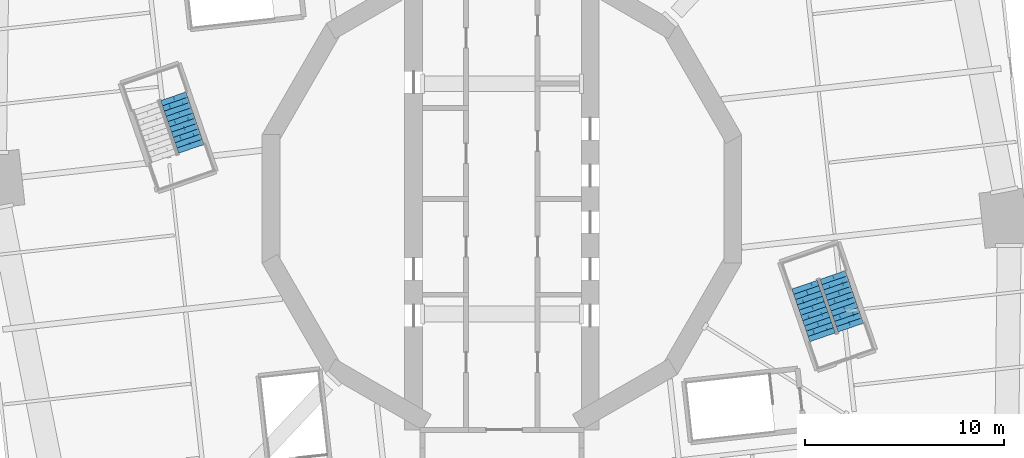
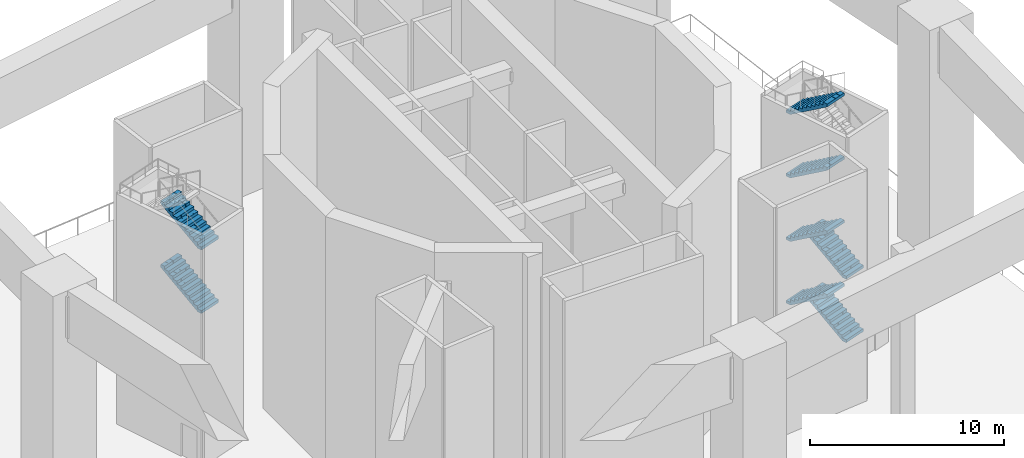
# One storey, part 6 of 13: 8 stair flights, 2 elements without a shape of their own.
"""IFC4 building model written with IfcOpenShell, lengths in metres."""

from ifc_helpers import new_model, si_unit, direction, frame, origin, place, context, subcontext, project, spatial, polyline, outline, extrude, material, type_object, element, aggregate, save


model = new_model("IFC4")

# Units and contexts
model_context = context("Model", 3, precision=1e-05, world=origin(), true_north=direction((0.0, 1.0)))
body_context = subcontext(model_context, "Body", "Model", "MODEL_VIEW")
ifc_project = project(units=[si_unit("LENGTHUNIT", "METRE"), si_unit("AREAUNIT", "SQUARE_METRE"), si_unit("VOLUMEUNIT", "CUBIC_METRE"), si_unit("PLANEANGLEUNIT", "RADIAN"), si_unit("MASSUNIT", "GRAM", prefix="KILO")], contexts=[model_context])

# Site, building, storey
site_placement = place(None, origin())
site = spatial("IfcSite", under=ifc_project, at=site_placement, CompositionType="ELEMENT")
building_placement = place(site_placement, origin())
building = spatial("IfcBuilding", under=site, at=building_placement, Name="Cantera Rosa Tower", CompositionType="ELEMENT")
storey_placement = place(building_placement, frame((0.0, 0.0, 84.300048828125)))
storey = spatial("IfcBuildingStorey", under=building, at=storey_placement, Name="L18", CompositionType="ELEMENT", Elevation=84.300048828125)

# Stair, stair flights
ifc_material_1 = material(Name="Concrete C35/45", Category="concrete")
stair_type = type_object("IfcStairType", Name="EXIT STAIR 1350 DOGLEG", PredefinedType="HALF_TURN_STAIR", material=ifc_material_1)
stair_1_placement = place(storey_placement, origin())
stair_1 = element("IfcStair", 1, at=stair_1_placement, inside=storey, type_object=stair_type, Name="L18 ST-22", PredefinedType="HALF_TURN_STAIR")
ifc_material_2 = material(Name="Concrete C35/45", Category="concrete")
stair_flight_type = type_object("IfcStairFlightType", Name="STAIR FLIGHT 1350 R88x182", PredefinedType="STRAIGHT", material=ifc_material_2)
stair_flight_1_placement = place(storey_placement, frame((-15.635009765625, 2.5205078125, 8.0), z_axis=(0.0, 0.0, 1.0), x_axis=(-0.325568154457, 0.945518575599, 0.0)))
stair_flight_1 = element("IfcStairFlight", 2, at=stair_flight_1_placement, type_object=stair_flight_type, Name="ST-22 flight 5", NumberOfRisers=11, NumberOfTreads=10, PredefinedType="STRAIGHT", RiserHeight=0.181818182, TreadLength=0.28, context=body_context, shape_type="SweptSolid", body=[
    extrude(outline(polyline([(0.0, 0.0), (0.0, 0.181884765625), (0.280029296875, 0.181884765625), (0.280029296875, 0.363525390625), (0.56005859375, 0.363525390625), (0.56005859375, 0.54541015625), (0.840087890625, 0.54541015625), (0.840087890625, 0.727294921875), (1.1201171875, 0.727294921875), (1.1201171875, 0.9091796875), (1.39990234375, 0.9091796875), (1.39990234375, 1.0908203125), (1.679931640625, 1.0908203125), (1.679931640625, 1.272705078125), (1.9599609375, 1.272705078125), (1.9599609375, 1.45458984375), (2.239990234375, 1.45458984375), (2.239990234375, 1.636474609375), (2.52001953125, 1.636474609375), (2.52001953125, 1.818115234375), (2.800048828125, 1.818115234375), (2.800048828125, 2.0), (2.800048828125, 1.639404296875), (0.275146484375, 0.0), (0.0, 0.0)])), frame((0.0, 0.675048828125, 0.0), z_axis=(0.0, -1.0, 0.0), x_axis=(1.0, 0.0, 0.0)), (0.0, 0.0, 1.0), 0.3359375),
    extrude(outline(polyline([(0.0, 0.0), (0.0, 0.181884765625), (0.280029296875, 0.181884765625), (0.280029296875, 0.363525390625), (0.56005859375, 0.363525390625), (0.56005859375, 0.54541015625), (0.840087890625, 0.54541015625), (0.840087890625, 0.727294921875), (1.1201171875, 0.727294921875), (1.1201171875, 0.9091796875), (1.39990234375, 0.9091796875), (1.39990234375, 1.0908203125), (1.679931640625, 1.0908203125), (1.679931640625, 1.272705078125), (1.9599609375, 1.272705078125), (1.9599609375, 1.45458984375), (2.239990234375, 1.45458984375), (2.239990234375, 1.636474609375), (2.52001953125, 1.636474609375), (2.52001953125, 1.818115234375), (2.800048828125, 1.818115234375), (2.800048828125, 2.0), (2.800048828125, 1.639404296875), (0.275146484375, 0.0), (0.0, 0.0)])), frame((0.0, 0.337158203125, 0.0), z_axis=(0.0, -1.0, 0.0), x_axis=(1.0, 0.0, 0.0)), (0.0, 0.0, 1.0), 0.3359375),
    extrude(outline(polyline([(0.0, 0.0), (0.0, 0.181884765625), (0.280029296875, 0.181884765625), (0.280029296875, 0.363525390625), (0.56005859375, 0.363525390625), (0.56005859375, 0.54541015625), (0.840087890625, 0.54541015625), (0.840087890625, 0.727294921875), (1.1201171875, 0.727294921875), (1.1201171875, 0.9091796875), (1.39990234375, 0.9091796875), (1.39990234375, 1.0908203125), (1.679931640625, 1.0908203125), (1.679931640625, 1.272705078125), (1.9599609375, 1.272705078125), (1.9599609375, 1.45458984375), (2.239990234375, 1.45458984375), (2.239990234375, 1.636474609375), (2.52001953125, 1.636474609375), (2.52001953125, 1.818115234375), (2.800048828125, 1.818115234375), (2.800048828125, 2.0), (2.800048828125, 1.639404296875), (0.275146484375, 0.0), (0.0, 0.0)])), frame((0.0, -0.000732421875, 0.0), z_axis=(0.0, -1.0, 0.0), x_axis=(1.0, 0.0, 0.0)), (0.0, 0.0, 1.0), 0.3359375),
    extrude(outline(polyline([(0.0, 0.0), (0.0, 0.181884765625), (0.280029296875, 0.181884765625), (0.280029296875, 0.363525390625), (0.56005859375, 0.363525390625), (0.56005859375, 0.54541015625), (0.840087890625, 0.54541015625), (0.840087890625, 0.727294921875), (1.1201171875, 0.727294921875), (1.1201171875, 0.9091796875), (1.39990234375, 0.9091796875), (1.39990234375, 1.0908203125), (1.679931640625, 1.0908203125), (1.679931640625, 1.272705078125), (1.9599609375, 1.272705078125), (1.9599609375, 1.45458984375), (2.239990234375, 1.45458984375), (2.239990234375, 1.636474609375), (2.52001953125, 1.636474609375), (2.52001953125, 1.818115234375), (2.800048828125, 1.818115234375), (2.800048828125, 2.0), (2.800048828125, 1.639404296875), (0.275146484375, 0.0), (0.0, 0.0)])), frame((0.0, -0.338623046875, 0.0), z_axis=(0.0, -1.0, 0.0), x_axis=(1.0, 0.0, 0.0)), (0.0, 0.0, 1.0), 0.3359375),
])
stair_flight_2_placement = place(storey_placement, frame((-15.635009765625, 2.5205078125, 12.0), z_axis=(0.0, 0.0, 1.0), x_axis=(-0.325568154457, 0.945518575599, 0.0)))
stair_flight_2 = element("IfcStairFlight", 3, at=stair_flight_2_placement, type_object=stair_flight_type, Name="ST-22 flight 7", NumberOfRisers=11, NumberOfTreads=10, PredefinedType="STRAIGHT", RiserHeight=0.181818182, TreadLength=0.28, context=body_context, shape_type="SweptSolid", body=[
    extrude(outline(polyline([(0.0, 0.0), (0.0, 0.181884765625), (0.280029296875, 0.181884765625), (0.280029296875, 0.363525390625), (0.56005859375, 0.363525390625), (0.56005859375, 0.54541015625), (0.840087890625, 0.54541015625), (0.840087890625, 0.727294921875), (1.1201171875, 0.727294921875), (1.1201171875, 0.9091796875), (1.39990234375, 0.9091796875), (1.39990234375, 1.0908203125), (1.679931640625, 1.0908203125), (1.679931640625, 1.272705078125), (1.9599609375, 1.272705078125), (1.9599609375, 1.45458984375), (2.239990234375, 1.45458984375), (2.239990234375, 1.636474609375), (2.52001953125, 1.636474609375), (2.52001953125, 1.818115234375), (2.800048828125, 1.818115234375), (2.800048828125, 2.0), (2.800048828125, 1.639404296875), (0.275146484375, 0.0), (0.0, 0.0)])), frame((0.0, 0.675048828125, 0.0), z_axis=(0.0, -1.0, 0.0), x_axis=(1.0, 0.0, 0.0)), (0.0, 0.0, 1.0), 0.3359375),
    extrude(outline(polyline([(0.0, 0.0), (0.0, 0.181884765625), (0.280029296875, 0.181884765625), (0.280029296875, 0.363525390625), (0.56005859375, 0.363525390625), (0.56005859375, 0.54541015625), (0.840087890625, 0.54541015625), (0.840087890625, 0.727294921875), (1.1201171875, 0.727294921875), (1.1201171875, 0.9091796875), (1.39990234375, 0.9091796875), (1.39990234375, 1.0908203125), (1.679931640625, 1.0908203125), (1.679931640625, 1.272705078125), (1.9599609375, 1.272705078125), (1.9599609375, 1.45458984375), (2.239990234375, 1.45458984375), (2.239990234375, 1.636474609375), (2.52001953125, 1.636474609375), (2.52001953125, 1.818115234375), (2.800048828125, 1.818115234375), (2.800048828125, 2.0), (2.800048828125, 1.639404296875), (0.275146484375, 0.0), (0.0, 0.0)])), frame((0.0, 0.337158203125, 0.0), z_axis=(0.0, -1.0, 0.0), x_axis=(1.0, 0.0, 0.0)), (0.0, 0.0, 1.0), 0.3359375),
    extrude(outline(polyline([(0.0, 0.0), (0.0, 0.181884765625), (0.280029296875, 0.181884765625), (0.280029296875, 0.363525390625), (0.56005859375, 0.363525390625), (0.56005859375, 0.54541015625), (0.840087890625, 0.54541015625), (0.840087890625, 0.727294921875), (1.1201171875, 0.727294921875), (1.1201171875, 0.9091796875), (1.39990234375, 0.9091796875), (1.39990234375, 1.0908203125), (1.679931640625, 1.0908203125), (1.679931640625, 1.272705078125), (1.9599609375, 1.272705078125), (1.9599609375, 1.45458984375), (2.239990234375, 1.45458984375), (2.239990234375, 1.636474609375), (2.52001953125, 1.636474609375), (2.52001953125, 1.818115234375), (2.800048828125, 1.818115234375), (2.800048828125, 2.0), (2.800048828125, 1.639404296875), (0.275146484375, 0.0), (0.0, 0.0)])), frame((0.0, -0.000732421875, 0.0), z_axis=(0.0, -1.0, 0.0), x_axis=(1.0, 0.0, 0.0)), (0.0, 0.0, 1.0), 0.3359375),
    extrude(outline(polyline([(0.0, 0.0), (0.0, 0.181884765625), (0.280029296875, 0.181884765625), (0.280029296875, 0.363525390625), (0.56005859375, 0.363525390625), (0.56005859375, 0.54541015625), (0.840087890625, 0.54541015625), (0.840087890625, 0.727294921875), (1.1201171875, 0.727294921875), (1.1201171875, 0.9091796875), (1.39990234375, 0.9091796875), (1.39990234375, 1.0908203125), (1.679931640625, 1.0908203125), (1.679931640625, 1.272705078125), (1.9599609375, 1.272705078125), (1.9599609375, 1.45458984375), (2.239990234375, 1.45458984375), (2.239990234375, 1.636474609375), (2.52001953125, 1.636474609375), (2.52001953125, 1.818115234375), (2.800048828125, 1.818115234375), (2.800048828125, 2.0), (2.800048828125, 1.639404296875), (0.275146484375, 0.0), (0.0, 0.0)])), frame((0.0, -0.338623046875, 0.0), z_axis=(0.0, -1.0, 0.0), x_axis=(1.0, 0.0, 0.0)), (0.0, 0.0, 1.0), 0.3359375),
])
aggregate(stair_1, [stair_flight_1, stair_flight_2])

stair_2_placement = place(storey_placement, origin())
stair_2 = element("IfcStair", 4, at=stair_2_placement, inside=storey, type_object=stair_type, Name="L18 ST-23", PredefinedType="HALF_TURN_STAIR")
stair_flight_3_placement = place(storey_placement, frame((17.56494140625, -6.4794921875, 0.0), z_axis=(0.0, 0.0, 1.0), x_axis=(-0.325568154457, 0.945518575599, 0.0)))
stair_flight_3 = element("IfcStairFlight", 5, at=stair_flight_3_placement, type_object=stair_flight_type, Name="ST-23 flight 1", NumberOfRisers=11, NumberOfTreads=10, PredefinedType="STRAIGHT", RiserHeight=0.181818182, TreadLength=0.28, context=body_context, shape_type="SweptSolid", body=[
    extrude(outline(polyline([(0.0, 0.0), (0.0, 0.181884765625), (0.280029296875, 0.181884765625), (0.280029296875, 0.363525390625), (0.56005859375, 0.363525390625), (0.56005859375, 0.54541015625), (0.840087890625, 0.54541015625), (0.840087890625, 0.727294921875), (1.1201171875, 0.727294921875), (1.1201171875, 0.9091796875), (1.39990234375, 0.9091796875), (1.39990234375, 1.0908203125), (1.679931640625, 1.0908203125), (1.679931640625, 1.272705078125), (1.9599609375, 1.272705078125), (1.9599609375, 1.45458984375), (2.239990234375, 1.45458984375), (2.239990234375, 1.636474609375), (2.52001953125, 1.636474609375), (2.52001953125, 1.818115234375), (2.800048828125, 1.818115234375), (2.800048828125, 2.0), (2.800048828125, 1.639404296875), (0.275146484375, 0.0), (0.0, 0.0)])), frame((0.0, 0.675048828125, 0.0), z_axis=(0.0, -1.0, 0.0), x_axis=(1.0, 0.0, 0.0)), (0.0, 0.0, 1.0), 0.3359375),
    extrude(outline(polyline([(0.0, 0.0), (0.0, 0.181884765625), (0.280029296875, 0.181884765625), (0.280029296875, 0.363525390625), (0.56005859375, 0.363525390625), (0.56005859375, 0.54541015625), (0.840087890625, 0.54541015625), (0.840087890625, 0.727294921875), (1.1201171875, 0.727294921875), (1.1201171875, 0.9091796875), (1.39990234375, 0.9091796875), (1.39990234375, 1.0908203125), (1.679931640625, 1.0908203125), (1.679931640625, 1.272705078125), (1.9599609375, 1.272705078125), (1.9599609375, 1.45458984375), (2.239990234375, 1.45458984375), (2.239990234375, 1.636474609375), (2.52001953125, 1.636474609375), (2.52001953125, 1.818115234375), (2.800048828125, 1.818115234375), (2.800048828125, 2.0), (2.800048828125, 1.639404296875), (0.275146484375, 0.0), (0.0, 0.0)])), frame((0.0, 0.337158203125, 0.0), z_axis=(0.0, -1.0, 0.0), x_axis=(1.0, 0.0, 0.0)), (0.0, 0.0, 1.0), 0.3359375),
    extrude(outline(polyline([(0.0, 0.0), (0.0, 0.181884765625), (0.280029296875, 0.181884765625), (0.280029296875, 0.363525390625), (0.56005859375, 0.363525390625), (0.56005859375, 0.54541015625), (0.840087890625, 0.54541015625), (0.840087890625, 0.727294921875), (1.1201171875, 0.727294921875), (1.1201171875, 0.9091796875), (1.39990234375, 0.9091796875), (1.39990234375, 1.0908203125), (1.679931640625, 1.0908203125), (1.679931640625, 1.272705078125), (1.9599609375, 1.272705078125), (1.9599609375, 1.45458984375), (2.239990234375, 1.45458984375), (2.239990234375, 1.636474609375), (2.52001953125, 1.636474609375), (2.52001953125, 1.818115234375), (2.800048828125, 1.818115234375), (2.800048828125, 2.0), (2.800048828125, 1.639404296875), (0.275146484375, 0.0), (0.0, 0.0)])), frame((0.0, -0.000732421875, 0.0), z_axis=(0.0, -1.0, 0.0), x_axis=(1.0, 0.0, 0.0)), (0.0, 0.0, 1.0), 0.3359375),
    extrude(outline(polyline([(0.0, 0.0), (0.0, 0.181884765625), (0.280029296875, 0.181884765625), (0.280029296875, 0.363525390625), (0.56005859375, 0.363525390625), (0.56005859375, 0.54541015625), (0.840087890625, 0.54541015625), (0.840087890625, 0.727294921875), (1.1201171875, 0.727294921875), (1.1201171875, 0.9091796875), (1.39990234375, 0.9091796875), (1.39990234375, 1.0908203125), (1.679931640625, 1.0908203125), (1.679931640625, 1.272705078125), (1.9599609375, 1.272705078125), (1.9599609375, 1.45458984375), (2.239990234375, 1.45458984375), (2.239990234375, 1.636474609375), (2.52001953125, 1.636474609375), (2.52001953125, 1.818115234375), (2.800048828125, 1.818115234375), (2.800048828125, 2.0), (2.800048828125, 1.639404296875), (0.275146484375, 0.0), (0.0, 0.0)])), frame((0.0, -0.338623046875, 0.0), z_axis=(0.0, -1.0, 0.0), x_axis=(1.0, 0.0, 0.0)), (0.0, 0.0, 1.0), 0.3359375),
])
stair_flight_4_placement = place(storey_placement, frame((15.235107421875, -4.320556640625, 2.0), z_axis=(0.0, 0.0, 1.0), x_axis=(0.325568154457, -0.945518575599, 0.0)))
stair_flight_4 = element("IfcStairFlight", 6, at=stair_flight_4_placement, type_object=stair_flight_type, Name="ST-23 flight 2", NumberOfRisers=11, NumberOfTreads=10, PredefinedType="STRAIGHT", RiserHeight=0.181818182, TreadLength=0.28, context=body_context, shape_type="SweptSolid", body=[
    extrude(outline(polyline([(0.0, 0.0), (0.0, 0.181884765625), (0.280029296875, 0.181884765625), (0.280029296875, 0.363525390625), (0.56005859375, 0.363525390625), (0.56005859375, 0.54541015625), (0.840087890625, 0.54541015625), (0.840087890625, 0.727294921875), (1.1201171875, 0.727294921875), (1.1201171875, 0.9091796875), (1.39990234375, 0.9091796875), (1.39990234375, 1.0908203125), (1.679931640625, 1.0908203125), (1.679931640625, 1.272705078125), (1.9599609375, 1.272705078125), (1.9599609375, 1.45458984375), (2.239990234375, 1.45458984375), (2.239990234375, 1.636474609375), (2.52001953125, 1.636474609375), (2.52001953125, 1.818115234375), (2.800048828125, 1.818115234375), (2.800048828125, 2.0), (2.800048828125, 1.639404296875), (0.275146484375, 0.0), (0.0, 0.0)])), frame((0.0, 0.675048828125, 0.0), z_axis=(0.0, -1.0, 0.0), x_axis=(1.0, 0.0, 0.0)), (0.0, 0.0, 1.0), 0.3359375),
    extrude(outline(polyline([(0.0, 0.0), (0.0, 0.181884765625), (0.280029296875, 0.181884765625), (0.280029296875, 0.363525390625), (0.56005859375, 0.363525390625), (0.56005859375, 0.54541015625), (0.840087890625, 0.54541015625), (0.840087890625, 0.727294921875), (1.1201171875, 0.727294921875), (1.1201171875, 0.9091796875), (1.39990234375, 0.9091796875), (1.39990234375, 1.0908203125), (1.679931640625, 1.0908203125), (1.679931640625, 1.272705078125), (1.9599609375, 1.272705078125), (1.9599609375, 1.45458984375), (2.239990234375, 1.45458984375), (2.239990234375, 1.636474609375), (2.52001953125, 1.636474609375), (2.52001953125, 1.818115234375), (2.800048828125, 1.818115234375), (2.800048828125, 2.0), (2.800048828125, 1.639404296875), (0.275146484375, 0.0), (0.0, 0.0)])), frame((0.0, 0.337158203125, 0.0), z_axis=(0.0, -1.0, 0.0), x_axis=(1.0, 0.0, 0.0)), (0.0, 0.0, 1.0), 0.3359375),
    extrude(outline(polyline([(0.0, 0.0), (0.0, 0.181884765625), (0.280029296875, 0.181884765625), (0.280029296875, 0.363525390625), (0.56005859375, 0.363525390625), (0.56005859375, 0.54541015625), (0.840087890625, 0.54541015625), (0.840087890625, 0.727294921875), (1.1201171875, 0.727294921875), (1.1201171875, 0.9091796875), (1.39990234375, 0.9091796875), (1.39990234375, 1.0908203125), (1.679931640625, 1.0908203125), (1.679931640625, 1.272705078125), (1.9599609375, 1.272705078125), (1.9599609375, 1.45458984375), (2.239990234375, 1.45458984375), (2.239990234375, 1.636474609375), (2.52001953125, 1.636474609375), (2.52001953125, 1.818115234375), (2.800048828125, 1.818115234375), (2.800048828125, 2.0), (2.800048828125, 1.639404296875), (0.275146484375, 0.0), (0.0, 0.0)])), frame((0.0, -0.000732421875, 0.0), z_axis=(0.0, -1.0, 0.0), x_axis=(1.0, 0.0, 0.0)), (0.0, 0.0, 1.0), 0.3359375),
    extrude(outline(polyline([(0.0, 0.0), (0.0, 0.181884765625), (0.280029296875, 0.181884765625), (0.280029296875, 0.363525390625), (0.56005859375, 0.363525390625), (0.56005859375, 0.54541015625), (0.840087890625, 0.54541015625), (0.840087890625, 0.727294921875), (1.1201171875, 0.727294921875), (1.1201171875, 0.9091796875), (1.39990234375, 0.9091796875), (1.39990234375, 1.0908203125), (1.679931640625, 1.0908203125), (1.679931640625, 1.272705078125), (1.9599609375, 1.272705078125), (1.9599609375, 1.45458984375), (2.239990234375, 1.45458984375), (2.239990234375, 1.636474609375), (2.52001953125, 1.636474609375), (2.52001953125, 1.818115234375), (2.800048828125, 1.818115234375), (2.800048828125, 2.0), (2.800048828125, 1.639404296875), (0.275146484375, 0.0), (0.0, 0.0)])), frame((0.0, -0.338623046875, 0.0), z_axis=(0.0, -1.0, 0.0), x_axis=(1.0, 0.0, 0.0)), (0.0, 0.0, 1.0), 0.3359375),
])
stair_flight_5_placement = place(storey_placement, frame((17.56494140625, -6.4794921875, 4.0), z_axis=(0.0, 0.0, 1.0), x_axis=(-0.325568154457, 0.945518575599, 0.0)))
stair_flight_5 = element("IfcStairFlight", 7, at=stair_flight_5_placement, type_object=stair_flight_type, Name="ST-23 flight 3", NumberOfRisers=11, NumberOfTreads=10, PredefinedType="STRAIGHT", RiserHeight=0.181818182, TreadLength=0.28, context=body_context, shape_type="SweptSolid", body=[
    extrude(outline(polyline([(0.0, 0.0), (0.0, 0.181884765625), (0.280029296875, 0.181884765625), (0.280029296875, 0.363525390625), (0.56005859375, 0.363525390625), (0.56005859375, 0.54541015625), (0.840087890625, 0.54541015625), (0.840087890625, 0.727294921875), (1.1201171875, 0.727294921875), (1.1201171875, 0.9091796875), (1.39990234375, 0.9091796875), (1.39990234375, 1.0908203125), (1.679931640625, 1.0908203125), (1.679931640625, 1.272705078125), (1.9599609375, 1.272705078125), (1.9599609375, 1.45458984375), (2.239990234375, 1.45458984375), (2.239990234375, 1.636474609375), (2.52001953125, 1.636474609375), (2.52001953125, 1.818115234375), (2.800048828125, 1.818115234375), (2.800048828125, 2.0), (2.800048828125, 1.639404296875), (0.275146484375, 0.0), (0.0, 0.0)])), frame((0.0, 0.675048828125, 0.0), z_axis=(0.0, -1.0, 0.0), x_axis=(1.0, 0.0, 0.0)), (0.0, 0.0, 1.0), 0.3359375),
    extrude(outline(polyline([(0.0, 0.0), (0.0, 0.181884765625), (0.280029296875, 0.181884765625), (0.280029296875, 0.363525390625), (0.56005859375, 0.363525390625), (0.56005859375, 0.54541015625), (0.840087890625, 0.54541015625), (0.840087890625, 0.727294921875), (1.1201171875, 0.727294921875), (1.1201171875, 0.9091796875), (1.39990234375, 0.9091796875), (1.39990234375, 1.0908203125), (1.679931640625, 1.0908203125), (1.679931640625, 1.272705078125), (1.9599609375, 1.272705078125), (1.9599609375, 1.45458984375), (2.239990234375, 1.45458984375), (2.239990234375, 1.636474609375), (2.52001953125, 1.636474609375), (2.52001953125, 1.818115234375), (2.800048828125, 1.818115234375), (2.800048828125, 2.0), (2.800048828125, 1.639404296875), (0.275146484375, 0.0), (0.0, 0.0)])), frame((0.0, 0.337158203125, 0.0), z_axis=(0.0, -1.0, 0.0), x_axis=(1.0, 0.0, 0.0)), (0.0, 0.0, 1.0), 0.3359375),
    extrude(outline(polyline([(0.0, 0.0), (0.0, 0.181884765625), (0.280029296875, 0.181884765625), (0.280029296875, 0.363525390625), (0.56005859375, 0.363525390625), (0.56005859375, 0.54541015625), (0.840087890625, 0.54541015625), (0.840087890625, 0.727294921875), (1.1201171875, 0.727294921875), (1.1201171875, 0.9091796875), (1.39990234375, 0.9091796875), (1.39990234375, 1.0908203125), (1.679931640625, 1.0908203125), (1.679931640625, 1.272705078125), (1.9599609375, 1.272705078125), (1.9599609375, 1.45458984375), (2.239990234375, 1.45458984375), (2.239990234375, 1.636474609375), (2.52001953125, 1.636474609375), (2.52001953125, 1.818115234375), (2.800048828125, 1.818115234375), (2.800048828125, 2.0), (2.800048828125, 1.639404296875), (0.275146484375, 0.0), (0.0, 0.0)])), frame((0.0, -0.000732421875, 0.0), z_axis=(0.0, -1.0, 0.0), x_axis=(1.0, 0.0, 0.0)), (0.0, 0.0, 1.0), 0.3359375),
    extrude(outline(polyline([(0.0, 0.0), (0.0, 0.181884765625), (0.280029296875, 0.181884765625), (0.280029296875, 0.363525390625), (0.56005859375, 0.363525390625), (0.56005859375, 0.54541015625), (0.840087890625, 0.54541015625), (0.840087890625, 0.727294921875), (1.1201171875, 0.727294921875), (1.1201171875, 0.9091796875), (1.39990234375, 0.9091796875), (1.39990234375, 1.0908203125), (1.679931640625, 1.0908203125), (1.679931640625, 1.272705078125), (1.9599609375, 1.272705078125), (1.9599609375, 1.45458984375), (2.239990234375, 1.45458984375), (2.239990234375, 1.636474609375), (2.52001953125, 1.636474609375), (2.52001953125, 1.818115234375), (2.800048828125, 1.818115234375), (2.800048828125, 2.0), (2.800048828125, 1.639404296875), (0.275146484375, 0.0), (0.0, 0.0)])), frame((0.0, -0.338623046875, 0.0), z_axis=(0.0, -1.0, 0.0), x_axis=(1.0, 0.0, 0.0)), (0.0, 0.0, 1.0), 0.3359375),
])
stair_flight_6_placement = place(storey_placement, frame((15.235107421875, -4.320556640625, 6.0), z_axis=(0.0, 0.0, 1.0), x_axis=(0.325568154457, -0.945518575599, 0.0)))
stair_flight_6 = element("IfcStairFlight", 8, at=stair_flight_6_placement, type_object=stair_flight_type, Name="ST-23 flight 4", NumberOfRisers=11, NumberOfTreads=10, PredefinedType="STRAIGHT", RiserHeight=0.181818182, TreadLength=0.28, context=body_context, shape_type="SweptSolid", body=[
    extrude(outline(polyline([(0.0, 0.0), (0.0, 0.181884765625), (0.280029296875, 0.181884765625), (0.280029296875, 0.363525390625), (0.56005859375, 0.363525390625), (0.56005859375, 0.54541015625), (0.840087890625, 0.54541015625), (0.840087890625, 0.727294921875), (1.1201171875, 0.727294921875), (1.1201171875, 0.9091796875), (1.39990234375, 0.9091796875), (1.39990234375, 1.0908203125), (1.679931640625, 1.0908203125), (1.679931640625, 1.272705078125), (1.9599609375, 1.272705078125), (1.9599609375, 1.45458984375), (2.239990234375, 1.45458984375), (2.239990234375, 1.636474609375), (2.52001953125, 1.636474609375), (2.52001953125, 1.818115234375), (2.800048828125, 1.818115234375), (2.800048828125, 2.0), (2.800048828125, 1.639404296875), (0.275146484375, 0.0), (0.0, 0.0)])), frame((0.0, 0.675048828125, 0.0), z_axis=(0.0, -1.0, 0.0), x_axis=(1.0, 0.0, 0.0)), (0.0, 0.0, 1.0), 0.3359375),
    extrude(outline(polyline([(0.0, 0.0), (0.0, 0.181884765625), (0.280029296875, 0.181884765625), (0.280029296875, 0.363525390625), (0.56005859375, 0.363525390625), (0.56005859375, 0.54541015625), (0.840087890625, 0.54541015625), (0.840087890625, 0.727294921875), (1.1201171875, 0.727294921875), (1.1201171875, 0.9091796875), (1.39990234375, 0.9091796875), (1.39990234375, 1.0908203125), (1.679931640625, 1.0908203125), (1.679931640625, 1.272705078125), (1.9599609375, 1.272705078125), (1.9599609375, 1.45458984375), (2.239990234375, 1.45458984375), (2.239990234375, 1.636474609375), (2.52001953125, 1.636474609375), (2.52001953125, 1.818115234375), (2.800048828125, 1.818115234375), (2.800048828125, 2.0), (2.800048828125, 1.639404296875), (0.275146484375, 0.0), (0.0, 0.0)])), frame((0.0, 0.337158203125, 0.0), z_axis=(0.0, -1.0, 0.0), x_axis=(1.0, 0.0, 0.0)), (0.0, 0.0, 1.0), 0.3359375),
    extrude(outline(polyline([(0.0, 0.0), (0.0, 0.181884765625), (0.280029296875, 0.181884765625), (0.280029296875, 0.363525390625), (0.56005859375, 0.363525390625), (0.56005859375, 0.54541015625), (0.840087890625, 0.54541015625), (0.840087890625, 0.727294921875), (1.1201171875, 0.727294921875), (1.1201171875, 0.9091796875), (1.39990234375, 0.9091796875), (1.39990234375, 1.0908203125), (1.679931640625, 1.0908203125), (1.679931640625, 1.272705078125), (1.9599609375, 1.272705078125), (1.9599609375, 1.45458984375), (2.239990234375, 1.45458984375), (2.239990234375, 1.636474609375), (2.52001953125, 1.636474609375), (2.52001953125, 1.818115234375), (2.800048828125, 1.818115234375), (2.800048828125, 2.0), (2.800048828125, 1.639404296875), (0.275146484375, 0.0), (0.0, 0.0)])), frame((0.0, -0.000732421875, 0.0), z_axis=(0.0, -1.0, 0.0), x_axis=(1.0, 0.0, 0.0)), (0.0, 0.0, 1.0), 0.3359375),
    extrude(outline(polyline([(0.0, 0.0), (0.0, 0.181884765625), (0.280029296875, 0.181884765625), (0.280029296875, 0.363525390625), (0.56005859375, 0.363525390625), (0.56005859375, 0.54541015625), (0.840087890625, 0.54541015625), (0.840087890625, 0.727294921875), (1.1201171875, 0.727294921875), (1.1201171875, 0.9091796875), (1.39990234375, 0.9091796875), (1.39990234375, 1.0908203125), (1.679931640625, 1.0908203125), (1.679931640625, 1.272705078125), (1.9599609375, 1.272705078125), (1.9599609375, 1.45458984375), (2.239990234375, 1.45458984375), (2.239990234375, 1.636474609375), (2.52001953125, 1.636474609375), (2.52001953125, 1.818115234375), (2.800048828125, 1.818115234375), (2.800048828125, 2.0), (2.800048828125, 1.639404296875), (0.275146484375, 0.0), (0.0, 0.0)])), frame((0.0, -0.338623046875, 0.0), z_axis=(0.0, -1.0, 0.0), x_axis=(1.0, 0.0, 0.0)), (0.0, 0.0, 1.0), 0.3359375),
])
stair_flight_7_placement = place(storey_placement, frame((15.235107421875, -4.320556640625, 10.0), z_axis=(0.0, 0.0, 1.0), x_axis=(0.325568154457, -0.945518575599, 0.0)))
stair_flight_7 = element("IfcStairFlight", 9, at=stair_flight_7_placement, type_object=stair_flight_type, Name="ST-23 flight 6", NumberOfRisers=11, NumberOfTreads=10, PredefinedType="STRAIGHT", RiserHeight=0.181818182, TreadLength=0.28, context=body_context, shape_type="SweptSolid", body=[
    extrude(outline(polyline([(0.0, 0.0), (0.0, 0.181884765625), (0.280029296875, 0.181884765625), (0.280029296875, 0.363525390625), (0.56005859375, 0.363525390625), (0.56005859375, 0.54541015625), (0.840087890625, 0.54541015625), (0.840087890625, 0.727294921875), (1.1201171875, 0.727294921875), (1.1201171875, 0.9091796875), (1.39990234375, 0.9091796875), (1.39990234375, 1.0908203125), (1.679931640625, 1.0908203125), (1.679931640625, 1.272705078125), (1.9599609375, 1.272705078125), (1.9599609375, 1.45458984375), (2.239990234375, 1.45458984375), (2.239990234375, 1.636474609375), (2.52001953125, 1.636474609375), (2.52001953125, 1.818115234375), (2.800048828125, 1.818115234375), (2.800048828125, 2.0), (2.800048828125, 1.639404296875), (0.275146484375, 0.0), (0.0, 0.0)])), frame((0.0, 0.675048828125, 0.0), z_axis=(0.0, -1.0, 0.0), x_axis=(1.0, 0.0, 0.0)), (0.0, 0.0, 1.0), 0.3359375),
    extrude(outline(polyline([(0.0, 0.0), (0.0, 0.181884765625), (0.280029296875, 0.181884765625), (0.280029296875, 0.363525390625), (0.56005859375, 0.363525390625), (0.56005859375, 0.54541015625), (0.840087890625, 0.54541015625), (0.840087890625, 0.727294921875), (1.1201171875, 0.727294921875), (1.1201171875, 0.9091796875), (1.39990234375, 0.9091796875), (1.39990234375, 1.0908203125), (1.679931640625, 1.0908203125), (1.679931640625, 1.272705078125), (1.9599609375, 1.272705078125), (1.9599609375, 1.45458984375), (2.239990234375, 1.45458984375), (2.239990234375, 1.636474609375), (2.52001953125, 1.636474609375), (2.52001953125, 1.818115234375), (2.800048828125, 1.818115234375), (2.800048828125, 2.0), (2.800048828125, 1.639404296875), (0.275146484375, 0.0), (0.0, 0.0)])), frame((0.0, 0.337158203125, 0.0), z_axis=(0.0, -1.0, 0.0), x_axis=(1.0, 0.0, 0.0)), (0.0, 0.0, 1.0), 0.3359375),
    extrude(outline(polyline([(0.0, 0.0), (0.0, 0.181884765625), (0.280029296875, 0.181884765625), (0.280029296875, 0.363525390625), (0.56005859375, 0.363525390625), (0.56005859375, 0.54541015625), (0.840087890625, 0.54541015625), (0.840087890625, 0.727294921875), (1.1201171875, 0.727294921875), (1.1201171875, 0.9091796875), (1.39990234375, 0.9091796875), (1.39990234375, 1.0908203125), (1.679931640625, 1.0908203125), (1.679931640625, 1.272705078125), (1.9599609375, 1.272705078125), (1.9599609375, 1.45458984375), (2.239990234375, 1.45458984375), (2.239990234375, 1.636474609375), (2.52001953125, 1.636474609375), (2.52001953125, 1.818115234375), (2.800048828125, 1.818115234375), (2.800048828125, 2.0), (2.800048828125, 1.639404296875), (0.275146484375, 0.0), (0.0, 0.0)])), frame((0.0, -0.000732421875, 0.0), z_axis=(0.0, -1.0, 0.0), x_axis=(1.0, 0.0, 0.0)), (0.0, 0.0, 1.0), 0.3359375),
    extrude(outline(polyline([(0.0, 0.0), (0.0, 0.181884765625), (0.280029296875, 0.181884765625), (0.280029296875, 0.363525390625), (0.56005859375, 0.363525390625), (0.56005859375, 0.54541015625), (0.840087890625, 0.54541015625), (0.840087890625, 0.727294921875), (1.1201171875, 0.727294921875), (1.1201171875, 0.9091796875), (1.39990234375, 0.9091796875), (1.39990234375, 1.0908203125), (1.679931640625, 1.0908203125), (1.679931640625, 1.272705078125), (1.9599609375, 1.272705078125), (1.9599609375, 1.45458984375), (2.239990234375, 1.45458984375), (2.239990234375, 1.636474609375), (2.52001953125, 1.636474609375), (2.52001953125, 1.818115234375), (2.800048828125, 1.818115234375), (2.800048828125, 2.0), (2.800048828125, 1.639404296875), (0.275146484375, 0.0), (0.0, 0.0)])), frame((0.0, -0.338623046875, 0.0), z_axis=(0.0, -1.0, 0.0), x_axis=(1.0, 0.0, 0.0)), (0.0, 0.0, 1.0), 0.3359375),
])
stair_flight_8_placement = place(storey_placement, frame((15.235107421875, -4.320556640625, 14.0), z_axis=(0.0, 0.0, 1.0), x_axis=(0.325568154457, -0.945518575599, 0.0)))
stair_flight_8 = element("IfcStairFlight", 10, at=stair_flight_8_placement, type_object=stair_flight_type, Name="ST-23 flight 8", NumberOfRisers=11, NumberOfTreads=10, PredefinedType="STRAIGHT", RiserHeight=0.181818182, TreadLength=0.28, context=body_context, shape_type="SweptSolid", body=[
    extrude(outline(polyline([(0.0, 0.0), (0.0, 0.181884765625), (0.280029296875, 0.181884765625), (0.280029296875, 0.363525390625), (0.56005859375, 0.363525390625), (0.56005859375, 0.54541015625), (0.840087890625, 0.54541015625), (0.840087890625, 0.727294921875), (1.1201171875, 0.727294921875), (1.1201171875, 0.9091796875), (1.39990234375, 0.9091796875), (1.39990234375, 1.0908203125), (1.679931640625, 1.0908203125), (1.679931640625, 1.272705078125), (1.9599609375, 1.272705078125), (1.9599609375, 1.45458984375), (2.239990234375, 1.45458984375), (2.239990234375, 1.636474609375), (2.52001953125, 1.636474609375), (2.52001953125, 1.818115234375), (2.800048828125, 1.818115234375), (2.800048828125, 2.0), (2.800048828125, 1.639404296875), (0.275146484375, 0.0), (0.0, 0.0)])), frame((0.0, 0.675048828125, 0.0), z_axis=(0.0, -1.0, 0.0), x_axis=(1.0, 0.0, 0.0)), (0.0, 0.0, 1.0), 0.3359375),
    extrude(outline(polyline([(0.0, 0.0), (0.0, 0.181884765625), (0.280029296875, 0.181884765625), (0.280029296875, 0.363525390625), (0.56005859375, 0.363525390625), (0.56005859375, 0.54541015625), (0.840087890625, 0.54541015625), (0.840087890625, 0.727294921875), (1.1201171875, 0.727294921875), (1.1201171875, 0.9091796875), (1.39990234375, 0.9091796875), (1.39990234375, 1.0908203125), (1.679931640625, 1.0908203125), (1.679931640625, 1.272705078125), (1.9599609375, 1.272705078125), (1.9599609375, 1.45458984375), (2.239990234375, 1.45458984375), (2.239990234375, 1.636474609375), (2.52001953125, 1.636474609375), (2.52001953125, 1.818115234375), (2.800048828125, 1.818115234375), (2.800048828125, 2.0), (2.800048828125, 1.639404296875), (0.275146484375, 0.0), (0.0, 0.0)])), frame((0.0, 0.337158203125, 0.0), z_axis=(0.0, -1.0, 0.0), x_axis=(1.0, 0.0, 0.0)), (0.0, 0.0, 1.0), 0.3359375),
    extrude(outline(polyline([(0.0, 0.0), (0.0, 0.181884765625), (0.280029296875, 0.181884765625), (0.280029296875, 0.363525390625), (0.56005859375, 0.363525390625), (0.56005859375, 0.54541015625), (0.840087890625, 0.54541015625), (0.840087890625, 0.727294921875), (1.1201171875, 0.727294921875), (1.1201171875, 0.9091796875), (1.39990234375, 0.9091796875), (1.39990234375, 1.0908203125), (1.679931640625, 1.0908203125), (1.679931640625, 1.272705078125), (1.9599609375, 1.272705078125), (1.9599609375, 1.45458984375), (2.239990234375, 1.45458984375), (2.239990234375, 1.636474609375), (2.52001953125, 1.636474609375), (2.52001953125, 1.818115234375), (2.800048828125, 1.818115234375), (2.800048828125, 2.0), (2.800048828125, 1.639404296875), (0.275146484375, 0.0), (0.0, 0.0)])), frame((0.0, -0.000732421875, 0.0), z_axis=(0.0, -1.0, 0.0), x_axis=(1.0, 0.0, 0.0)), (0.0, 0.0, 1.0), 0.3359375),
    extrude(outline(polyline([(0.0, 0.0), (0.0, 0.181884765625), (0.280029296875, 0.181884765625), (0.280029296875, 0.363525390625), (0.56005859375, 0.363525390625), (0.56005859375, 0.54541015625), (0.840087890625, 0.54541015625), (0.840087890625, 0.727294921875), (1.1201171875, 0.727294921875), (1.1201171875, 0.9091796875), (1.39990234375, 0.9091796875), (1.39990234375, 1.0908203125), (1.679931640625, 1.0908203125), (1.679931640625, 1.272705078125), (1.9599609375, 1.272705078125), (1.9599609375, 1.45458984375), (2.239990234375, 1.45458984375), (2.239990234375, 1.636474609375), (2.52001953125, 1.636474609375), (2.52001953125, 1.818115234375), (2.800048828125, 1.818115234375), (2.800048828125, 2.0), (2.800048828125, 1.639404296875), (0.275146484375, 0.0), (0.0, 0.0)])), frame((0.0, -0.338623046875, 0.0), z_axis=(0.0, -1.0, 0.0), x_axis=(1.0, 0.0, 0.0)), (0.0, 0.0, 1.0), 0.3359375),
])
aggregate(stair_2, [stair_flight_3, stair_flight_4, stair_flight_5, stair_flight_6, stair_flight_7, stair_flight_8])

save(model, "model.ifc")
